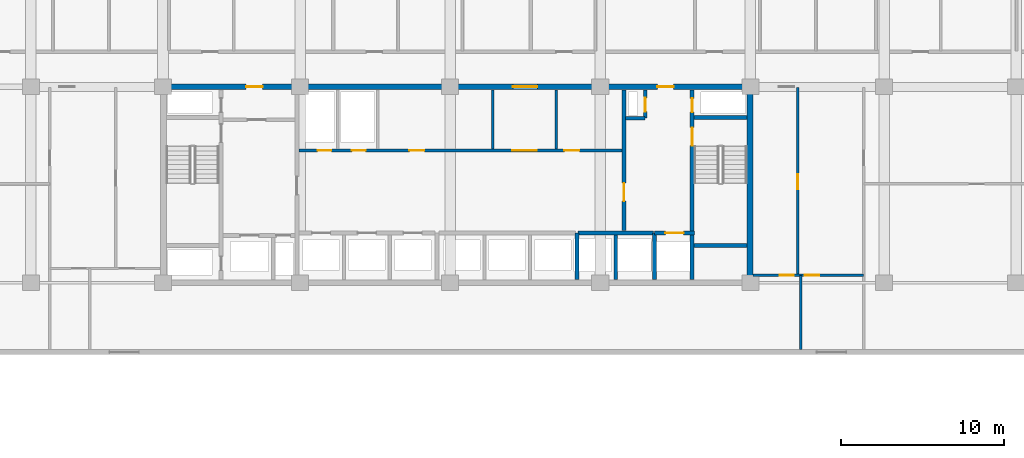
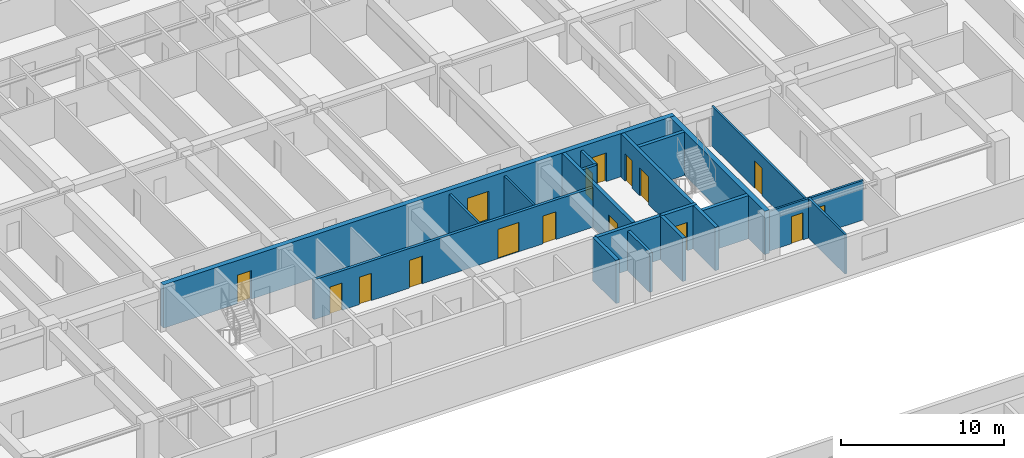
# One storey, part 12 of 23: 19 walls, 16 doors, 16 openings.
"""IFC4 building model written with IfcOpenShell, lengths in metres."""

from ifc_helpers import new_model, si_unit, direction, frame, frame_2d, origin, place, context, subcontext, project, spatial, rectangle, extrude, material, layer, layer_set, type_object, element, fill, save


model = new_model("IFC4")

# Units and contexts
model_context = context("Model", 3, precision=1e-05, world=origin(), true_north=direction((0.0, 1.0)))
body_context = subcontext(model_context, "Body", "Model", "MODEL_VIEW")
ifc_project = project(units=[si_unit("LENGTHUNIT", "METRE"), si_unit("AREAUNIT", "SQUARE_METRE"), si_unit("VOLUMEUNIT", "CUBIC_METRE"), si_unit("PLANEANGLEUNIT", "RADIAN"), si_unit("MASSUNIT", "GRAM", prefix="KILO")], contexts=[model_context])

# Site, building, storey
site_placement = place(None, origin())
site = spatial("IfcSite", under=ifc_project, at=site_placement, CompositionType="ELEMENT")
building_placement = place(site_placement, origin())
building = spatial("IfcBuilding", under=site, at=building_placement, Name="Korimba Cascade Residences", CompositionType="ELEMENT")
storey_placement = place(building_placement, frame((0.0, 0.0, 27.25)))
storey = spatial("IfcBuildingStorey", under=building, at=storey_placement, Name="L06", CompositionType="ELEMENT", Elevation=27.25)

# Wall
ifc_material_1 = material(Name="Concrete C65/80", Category="concrete")
ifc_layer_1 = layer(ifc_material_1, 0.35009765625)
ifc_layer_set_1 = layer_set([ifc_layer_1], Name="Concrete C65/80")
wall_type_1 = type_object("IfcWallType", Name="WAL-CORE-350", PredefinedType="SHEAR", material=ifc_layer_set_1)
wall_1_placement = place(storey_placement, frame((112.074951171875, 55.375, 0.0), z_axis=(0.0, 0.0, 1.0), x_axis=(0.0, 1.0, 0.0)))
element("IfcWall", 1, at=wall_1_placement, inside=storey, type_object=wall_type_1, Name="L06 Core Shear Wall CW-L06-T1-E", PredefinedType="SHEAR", context=body_context, shape_type="SweptSolid", body=[
    extrude(rectangle(XDim=11.64990234375, YDim=0.35009765625, at=frame_2d((5.824951171875, 0.0))), origin(), (0.0, 0.0, 1.0), 3.25),
])

# Wall, openings, doors
wall_2_placement = place(storey_placement, frame((75.949951171875, 67.199951171875, 0.0), z_axis=(0.0, 0.0, 1.0), x_axis=(1.0, 0.0, 0.0)))
wall_2 = element("IfcWall", 2, at=wall_2_placement, inside=storey, type_object=wall_type_1, Name="L06 Core Shear Wall CW-L06-T1-N", PredefinedType="SHEAR", context=body_context, shape_type="SweptSolid", body=[
    extrude(rectangle(XDim=36.300048828125, YDim=0.35009765625, at=frame_2d((18.14990234375, 0.0))), origin(), (0.0, 0.0, 1.0), 3.25),
])
opening_1_placement = place(wall_2_placement, frame((5.25, 0.0, 0.0)))
opening_1 = element("IfcOpeningElement", 3, at=opening_1_placement, cuts=wall_2, Name="Opening D-FD5", PredefinedType="OPENING", context=body_context, shape_type="SweptSolid", body=[
    extrude(rectangle(XDim=1.0, YDim=2.14990234375, at=frame_2d((0.5, 1.074951171875))), frame((0.0, 0.18505859375, 0.0), z_axis=(0.0, -1.0, 0.0), x_axis=(1.0, 0.0, 0.0)), (0.0, 0.0, 1.0), 0.3701171875),
])
opening_2_placement = place(wall_2_placement, frame((21.60009765625, 0.0, 0.0)))
opening_2 = element("IfcOpeningElement", 4, at=opening_2_placement, cuts=wall_2, Name="Opening D-FD8", PredefinedType="OPENING", context=body_context, shape_type="SweptSolid", body=[
    extrude(rectangle(XDim=1.5, YDim=2.199951171875, at=frame_2d((0.75, 1.10009765625))), frame((0.0, 0.18505859375, 0.0), z_axis=(0.0, -1.0, 0.0), x_axis=(1.0, 0.0, 0.0)), (0.0, 0.0, 1.0), 0.3701171875),
])
opening_3_placement = place(wall_2_placement, frame((30.449951171875, 0.0, 0.0)))
opening_3 = element("IfcOpeningElement", 5, at=opening_3_placement, cuts=wall_2, Name="Opening D-FD5", PredefinedType="OPENING", context=body_context, shape_type="SweptSolid", body=[
    extrude(rectangle(XDim=1.0, YDim=2.14990234375, at=frame_2d((0.5, 1.074951171875))), frame((0.0, 0.18505859375, 0.0), z_axis=(0.0, -1.0, 0.0), x_axis=(1.0, 0.0, 0.0)), (0.0, 0.0, 1.0), 0.3701171875),
])
ifc_material_2 = material(Name="Fire-Rated Acoustic Timber Vestibule Door", Category="wood")
door_type_1 = type_object("IfcDoorType", Name="DR-FD90-1000", OperationType="NOTDEFINED", PredefinedType="DOOR", material=ifc_material_2)
door_1_placement = place(opening_1_placement, origin())
door_1 = element("IfcDoor", 6, at=door_1_placement, inside=storey, type_object=door_type_1, Name="L06 T1 West Core Vestibule Fire Door", OperationType="SINGLE_SWING_RIGHT", OverallHeight=2.14990234375, OverallWidth=1.0, PredefinedType="DOOR", context=body_context, shape_type="SweptSolid", body=[
    extrude(rectangle(XDim=1.0, YDim=2.14990234375, at=frame_2d((0.5, 1.074951171875))), frame((0.0, 0.02490234375, 0.0), z_axis=(0.0, -1.0, 0.0), x_axis=(1.0, 0.0, 0.0)), (0.0, 0.0, 1.0), 0.050048828125),
])
fill(opening_1, door_1)
door_2_placement = place(opening_3_placement, origin())
door_2 = element("IfcDoor", 7, at=door_2_placement, inside=storey, type_object=door_type_1, Name="L06 T1 East Firefighting Vestibule Fire Door", OperationType="SINGLE_SWING_LEFT", OverallHeight=2.14990234375, OverallWidth=1.0, PredefinedType="DOOR", context=body_context, shape_type="SweptSolid", body=[
    extrude(rectangle(XDim=1.0, YDim=2.14990234375, at=frame_2d((0.5, 1.074951171875))), frame((0.0, 0.02490234375, 0.0), z_axis=(0.0, -1.0, 0.0), x_axis=(1.0, 0.0, 0.0)), (0.0, 0.0, 1.0), 0.050048828125),
])
fill(opening_3, door_2)
ifc_material_3 = material(Name="Fire-Rated Glazed Lift Lobby Double Door", Category="glass")
door_type_2 = type_object("IfcDoorType", Name="DR-FD90-1500", OperationType="NOTDEFINED", PredefinedType="DOOR", material=ifc_material_3)
door_3_placement = place(opening_2_placement, origin())
door_3 = element("IfcDoor", 8, at=door_3_placement, inside=storey, type_object=door_type_2, Name="L06 T1 Lift Lobby Fire Door", OperationType="DOUBLE_DOOR_SINGLE_SWING", OverallHeight=2.199951171875, OverallWidth=1.5, PredefinedType="DOOR", context=body_context, shape_type="SweptSolid", body=[
    extrude(rectangle(XDim=1.5, YDim=2.199951171875, at=frame_2d((0.75, 1.10009765625))), frame((0.0, 0.02490234375, 0.0), z_axis=(0.0, -1.0, 0.0), x_axis=(1.0, 0.0, 0.0)), (0.0, 0.0, 1.0), 0.050048828125),
])
fill(opening_2, door_3)

# Walls
ifc_material_4 = material(Name="Insulated Acoustic Stud Partition", Category="gypsum")
ifc_layer_2 = layer(ifc_material_4, 0.14990234375)
ifc_layer_set_2 = layer_set([ifc_layer_2], Name="Insulated Acoustic Stud Partition")
wall_type_2 = type_object("IfcWallType", Name="WAL-PART-150", PredefinedType="PARTITIONING", material=ifc_layer_set_2)
for number, where, z_axis, x_axis, name in (
    (9, (96.300048828125, 63.39990234375, 0.0), (0.0, 0.0, 1.0), (0.0, 1.0, 0.0), "L06 Partition Wall CW-L06-T1-THW"),
    (10, (100.199951171875, 63.39990234375, 0.0), (0.0, 0.0, 1.0), (0.0, 1.0, 0.0), "L06 Partition Wall CW-L06-T1-THE"),
):
    element("IfcWall", number, at=place(storey_placement, frame(where, z_axis=z_axis, x_axis=x_axis)), inside=storey, type_object=wall_type_2, Name=name, PredefinedType="PARTITIONING", context=body_context, shape_type="SweptSolid", body=[
        extrude(rectangle(XDim=3.60009765625, YDim=0.14990234375, at=frame_2d((1.800048828125, 0.0))), origin(), (0.0, 0.0, 1.0), 2.969970703125),
    ])

# Wall, opening, door
wall_3_placement = place(storey_placement, frame((115.0, 55.64990234375, 0.0), z_axis=(0.0, 0.0, 1.0), x_axis=(0.0, 1.0, 0.0)))
wall_3 = element("IfcWall", 11, at=wall_3_placement, inside=storey, type_object=wall_type_2, Name="L06 Partition Wall WAL-L06-T1-FE-VN", PredefinedType="PARTITIONING", context=body_context, shape_type="SweptSolid", body=[
    extrude(rectangle(XDim=11.5, YDim=0.14990234375, at=frame_2d((5.75, 0.0))), origin(), (0.0, 0.0, 1.0), 2.969970703125),
])
opening_4_placement = place(wall_3_placement, frame((5.2900390625, 0.0, 0.0)))
opening_4 = element("IfcOpeningElement", 12, at=opening_4_placement, cuts=wall_3, Name="Opening D-IN1", PredefinedType="OPENING", context=body_context, shape_type="SweptSolid", body=[
    extrude(rectangle(XDim=0.919921875, YDim=2.080078125, at=frame_2d((0.4599609375, 1.0400390625))), frame((0.0, 0.0849609375, 0.0), z_axis=(0.0, -1.0, 0.0), x_axis=(1.0, 0.0, 0.0)), (0.0, 0.0, 1.0), 0.169921875),
])
ifc_material_5 = material(Name="Acoustic Timber Living Door", Category="wood")
door_type_3 = type_object("IfcDoorType", Name="DR-INT-920", OperationType="NOTDEFINED", PredefinedType="DOOR", material=ifc_material_5)
door_4_placement = place(opening_4_placement, origin())
door_4 = element("IfcDoor", 13, at=door_4_placement, inside=storey, type_object=door_type_3, Name="L06-T1-FE Living Door", OperationType="SINGLE_SWING_RIGHT", OverallHeight=2.080078125, OverallWidth=0.919921875, PredefinedType="DOOR", context=body_context, shape_type="SweptSolid", body=[
    extrude(rectangle(XDim=0.919921875, YDim=2.080078125, at=frame_2d((0.4599609375, 1.0400390625))), frame((0.0, 0.02490234375, 0.0), z_axis=(0.0, -1.0, 0.0), x_axis=(1.0, 0.0, 0.0)), (0.0, 0.0, 1.0), 0.050048828125),
])
fill(opening_4, door_4)

# Wall
wall_4_placement = place(storey_placement, frame((115.199951171875, 51.10009765625, 0.0), z_axis=(0.0, 0.0, 1.0), x_axis=(0.0, 1.0, 0.0)))
element("IfcWall", 14, at=wall_4_placement, inside=storey, type_object=wall_type_2, Name="L06 Partition Wall WAL-L06-T1-FE-VS", PredefinedType="PARTITIONING", context=body_context, shape_type="SweptSolid", body=[
    extrude(rectangle(XDim=4.5498046875, YDim=0.14990234375, at=frame_2d((2.27490234375, 0.0))), origin(), (0.0, 0.0, 1.0), 2.969970703125),
])

# Wall, openings, doors
wall_5_placement = place(storey_placement, frame((112.27001953125, 55.64990234375, 0.0), z_axis=(0.0, 0.0, 1.0), x_axis=(1.0, 0.0, 0.0)))
wall_5 = element("IfcWall", 15, at=wall_5_placement, inside=storey, type_object=wall_type_2, Name="L06 Partition Wall WAL-L06-T1-FE-H", PredefinedType="PARTITIONING", context=body_context, shape_type="SweptSolid", body=[
    extrude(rectangle(XDim=6.760009765625, YDim=0.14990234375, at=frame_2d((3.3798828125, 0.0))), origin(), (0.0, 0.0, 1.0), 2.969970703125),
])
opening_5_placement = place(wall_5_placement, frame((1.6396484375, 0.0, 0.0)))
opening_5 = element("IfcOpeningElement", 16, at=opening_5_placement, cuts=wall_5, Name="Opening D-BT1", PredefinedType="OPENING", context=body_context, shape_type="SweptSolid", body=[
    extrude(rectangle(XDim=0.840087890625, YDim=2.0400390625, at=frame_2d((0.419921875, 1.02001953125))), frame((0.0, 0.0849609375, 0.0), z_axis=(0.0, -1.0, 0.0), x_axis=(1.0, 0.0, 0.0)), (0.0, 0.0, 1.0), 0.169921875),
])
opening_6_placement = place(wall_5_placement, frame((3.160400390625, 0.0, 0.0)))
opening_6 = element("IfcOpeningElement", 17, at=opening_6_placement, cuts=wall_5, Name="Opening D-IN2", PredefinedType="OPENING", context=body_context, shape_type="SweptSolid", body=[
    extrude(rectangle(XDim=0.8798828125, YDim=2.06005859375, at=frame_2d((0.43994140625, 1.030029296875))), frame((0.0, 0.0849609375, 0.0), z_axis=(0.0, -1.0, 0.0), x_axis=(1.0, 0.0, 0.0)), (0.0, 0.0, 1.0), 0.169921875),
])
ifc_material_6 = material(Name="Moisture-Resistant Bathroom Timber Door", Category="wood")
door_type_4 = type_object("IfcDoorType", Name="DR-INT-850", OperationType="NOTDEFINED", PredefinedType="DOOR", material=ifc_material_6)
door_5_placement = place(opening_5_placement, origin())
door_5 = element("IfcDoor", 18, at=door_5_placement, inside=storey, type_object=door_type_4, Name="L06-T1-FE Bathroom Door", OperationType="SINGLE_SWING_LEFT", OverallHeight=2.0400390625, OverallWidth=0.840087890625, PredefinedType="DOOR", context=body_context, shape_type="SweptSolid", body=[
    extrude(rectangle(XDim=0.840087890625, YDim=2.0400390625, at=frame_2d((0.419921875, 1.02001953125))), frame((0.0, 0.02490234375, 0.0), z_axis=(0.0, -1.0, 0.0), x_axis=(1.0, 0.0, 0.0)), (0.0, 0.0, 1.0), 0.050048828125),
])
fill(opening_5, door_5)
ifc_material_7 = material(Name="Acoustic Timber Bedroom Door", Category="wood")
door_type_5 = type_object("IfcDoorType", Name="DR-INT-880", OperationType="NOTDEFINED", PredefinedType="DOOR", material=ifc_material_7)
door_6_placement = place(opening_6_placement, origin())
door_6 = element("IfcDoor", 19, at=door_6_placement, inside=storey, type_object=door_type_5, Name="L06-T1-FE Bedroom Door", OperationType="SINGLE_SWING_RIGHT", OverallHeight=2.06005859375, OverallWidth=0.8798828125, PredefinedType="DOOR", context=body_context, shape_type="SweptSolid", body=[
    extrude(rectangle(XDim=0.8798828125, YDim=2.06005859375, at=frame_2d((0.43994140625, 1.030029296875))), frame((0.0, 0.02490234375, 0.0), z_axis=(0.0, -1.0, 0.0), x_axis=(1.0, 0.0, 0.0)), (0.0, 0.0, 1.0), 0.050048828125),
])
fill(opening_6, door_6)

# Wall
ifc_material_8 = material(Name="Concrete C40/50", Category="concrete")
ifc_layer_3 = layer(ifc_material_8, 0.199951171875)
ifc_layer_set_3 = layer_set([ifc_layer_3], Name="Concrete C40/50")
wall_type_3 = type_object("IfcWallType", Name="WAL-PART-200", PredefinedType="PARTITIONING", material=ifc_layer_set_3)
wall_6_placement = place(storey_placement, frame((103.85009765625, 55.39990234375, 0.0), z_axis=(0.0, 0.0, 1.0), x_axis=(0.0, 1.0, 0.0)))
element("IfcWall", 20, at=wall_6_placement, inside=storey, type_object=wall_type_3, Name="L06 Partition Wall CW-L06-T1-B3D1", PredefinedType="PARTITIONING", context=body_context, shape_type="SweptSolid", body=[
    extrude(rectangle(XDim=2.72021484375, YDim=0.199951171875, at=frame_2d((1.360107421875, 0.0))), origin(), (0.0, 0.0, 1.0), 2.969970703125),
])

# Wall, openings, doors
wall_7_placement = place(storey_placement, frame((84.419921875, 63.300048828125, 0.0), z_axis=(0.0, 0.0, 1.0), x_axis=(1.0, 0.0, 0.0)))
wall_7 = element("IfcWall", 21, at=wall_7_placement, inside=storey, type_object=wall_type_3, Name="L06 Partition Wall CW-L06-T1-SRVROW", PredefinedType="PARTITIONING", context=body_context, shape_type="SweptSolid", body=[
    extrude(rectangle(XDim=19.830078125, YDim=0.199951171875, at=frame_2d((9.9150390625, 0.0))), origin(), (0.0, 0.0, 1.0), 2.969970703125),
])
opening_7_placement = place(wall_7_placement, frame((1.14990234375, 0.0, 0.0)))
opening_7 = element("IfcOpeningElement", 22, at=opening_7_placement, cuts=wall_7, Name="Opening D-RS1", PredefinedType="OPENING", context=body_context, shape_type="SweptSolid", body=[
    extrude(rectangle(XDim=0.85009765625, YDim=2.050048828125, at=frame_2d((0.425048828125, 1.02490234375))), frame((0.0, 0.10986328125, 0.0), z_axis=(0.0, -1.0, 0.0), x_axis=(1.0, 0.0, 0.0)), (0.0, 0.0, 1.0), 0.219970703125),
])
opening_8_placement = place(wall_7_placement, frame((3.25, 0.0, 0.0)))
opening_8 = element("IfcOpeningElement", 23, at=opening_8_placement, cuts=wall_7, Name="Opening D-RS1", PredefinedType="OPENING", context=body_context, shape_type="SweptSolid", body=[
    extrude(rectangle(XDim=0.85009765625, YDim=2.050048828125, at=frame_2d((0.425048828125, 1.02490234375))), frame((0.0, 0.10986328125, 0.0), z_axis=(0.0, -1.0, 0.0), x_axis=(1.0, 0.0, 0.0)), (0.0, 0.0, 1.0), 0.219970703125),
])
opening_9_placement = place(wall_7_placement, frame((13.080078125, 0.0, 0.0)))
opening_9 = element("IfcOpeningElement", 24, at=opening_9_placement, cuts=wall_7, Name="Opening D-FD8", PredefinedType="OPENING", context=body_context, shape_type="SweptSolid", body=[
    extrude(rectangle(XDim=1.5, YDim=2.199951171875, at=frame_2d((0.75, 1.10009765625))), frame((0.0, 0.10986328125, 0.0), z_axis=(0.0, -1.0, 0.0), x_axis=(1.0, 0.0, 0.0)), (0.0, 0.0, 1.0), 0.219970703125),
])
opening_10_placement = place(wall_7_placement, frame((6.780029296875, 0.0, 0.0)))
opening_10 = element("IfcOpeningElement", 25, at=opening_10_placement, cuts=wall_7, Name="Opening D-IN1", PredefinedType="OPENING", context=body_context, shape_type="SweptSolid", body=[
    extrude(rectangle(XDim=0.919921875, YDim=2.080078125, at=frame_2d((0.4599609375, 1.0400390625))), frame((0.0, 0.10986328125, 0.0), z_axis=(0.0, -1.0, 0.0), x_axis=(1.0, 0.0, 0.0)), (0.0, 0.0, 1.0), 0.219970703125),
])
opening_11_placement = place(wall_7_placement, frame((16.280029296875, 0.0, 0.0)))
opening_11 = element("IfcOpeningElement", 26, at=opening_11_placement, cuts=wall_7, Name="Opening D-IN1", PredefinedType="OPENING", context=body_context, shape_type="SweptSolid", body=[
    extrude(rectangle(XDim=0.919921875, YDim=2.080078125, at=frame_2d((0.4599609375, 1.0400390625))), frame((0.0, 0.10986328125, 0.0), z_axis=(0.0, -1.0, 0.0), x_axis=(1.0, 0.0, 0.0)), (0.0, 0.0, 1.0), 0.219970703125),
])
ifc_material_9 = material(Name="Fire-Rated Steel Riser Access Door", Category="steel")
door_type_6 = type_object("IfcDoorType", Name="DR-FD60-850", OperationType="NOTDEFINED", PredefinedType="DOOR", material=ifc_material_9)
door_7_placement = place(opening_7_placement, origin())
door_7 = element("IfcDoor", 27, at=door_7_placement, inside=storey, type_object=door_type_6, Name="L06 Electrical Riser Door", OperationType="SINGLE_SWING_RIGHT", OverallHeight=2.050048828125, OverallWidth=0.85009765625, PredefinedType="DOOR", context=body_context, shape_type="SweptSolid", body=[
    extrude(rectangle(XDim=0.85009765625, YDim=2.050048828125, at=frame_2d((0.425048828125, 1.02490234375))), frame((0.0, 0.02490234375, 0.0), z_axis=(0.0, -1.0, 0.0), x_axis=(1.0, 0.0, 0.0)), (0.0, 0.0, 1.0), 0.050048828125),
])
fill(opening_7, door_7)
door_8_placement = place(opening_8_placement, origin())
door_8 = element("IfcDoor", 28, at=door_8_placement, inside=storey, type_object=door_type_6, Name="L06 Plumbing Riser Door", OperationType="SINGLE_SWING_LEFT", OverallHeight=2.050048828125, OverallWidth=0.85009765625, PredefinedType="DOOR", context=body_context, shape_type="SweptSolid", body=[
    extrude(rectangle(XDim=0.85009765625, YDim=2.050048828125, at=frame_2d((0.425048828125, 1.02490234375))), frame((0.0, 0.02490234375, 0.0), z_axis=(0.0, -1.0, 0.0), x_axis=(1.0, 0.0, 0.0)), (0.0, 0.0, 1.0), 0.050048828125),
])
fill(opening_8, door_8)
door_9_placement = place(opening_9_placement, origin())
door_9 = element("IfcDoor", 29, at=door_9_placement, inside=storey, type_object=door_type_2, Name="L06 Lift Lobby Foyer Archway Door", OperationType="DOUBLE_DOOR_SINGLE_SWING", OverallHeight=2.199951171875, OverallWidth=1.5, PredefinedType="DOOR", context=body_context, shape_type="SweptSolid", body=[
    extrude(rectangle(XDim=1.5, YDim=2.199951171875, at=frame_2d((0.75, 1.10009765625))), frame((0.0, 0.02490234375, 0.0), z_axis=(0.0, -1.0, 0.0), x_axis=(1.0, 0.0, 0.0)), (0.0, 0.0, 1.0), 0.050048828125),
])
fill(opening_9, door_9)
door_10_placement = place(opening_10_placement, origin())
door_10 = element("IfcDoor", 30, at=door_10_placement, inside=storey, type_object=door_type_3, Name="L06 Housekeeping Door", OperationType="SINGLE_SWING_RIGHT", OverallHeight=2.080078125, OverallWidth=0.919921875, PredefinedType="DOOR", context=body_context, shape_type="SweptSolid", body=[
    extrude(rectangle(XDim=0.919921875, YDim=2.080078125, at=frame_2d((0.4599609375, 1.0400390625))), frame((0.0, 0.02490234375, 0.0), z_axis=(0.0, -1.0, 0.0), x_axis=(1.0, 0.0, 0.0)), (0.0, 0.0, 1.0), 0.050048828125),
])
fill(opening_10, door_10)
door_11_placement = place(opening_11_placement, origin())
door_11 = element("IfcDoor", 31, at=door_11_placement, inside=storey, type_object=door_type_3, Name="L06 Store Door", OperationType="SINGLE_SWING_LEFT", OverallHeight=2.080078125, OverallWidth=0.919921875, PredefinedType="DOOR", context=body_context, shape_type="SweptSolid", body=[
    extrude(rectangle(XDim=0.919921875, YDim=2.080078125, at=frame_2d((0.4599609375, 1.0400390625))), frame((0.0, 0.02490234375, 0.0), z_axis=(0.0, -1.0, 0.0), x_axis=(1.0, 0.0, 0.0)), (0.0, 0.0, 1.0), 0.050048828125),
])
fill(opening_11, door_11)

# Wall
wall_8_placement = place(storey_placement, frame((104.449951171875, 65.280029296875, 0.0), z_axis=(0.0, 0.0, 1.0), x_axis=(1.0, 0.0, 0.0)))
element("IfcWall", 32, at=wall_8_placement, inside=storey, type_object=wall_type_3, Name="L06 Partition Wall CW-L06-T1-HYDW2S", PredefinedType="PARTITIONING", context=body_context, shape_type="SweptSolid", body=[
    extrude(rectangle(XDim=1.199951171875, YDim=0.199951171875, at=frame_2d((0.60009765625, 0.0))), origin(), (0.0, 0.0, 1.0), 2.969970703125),
])

# Wall, opening, door
wall_9_placement = place(storey_placement, frame((105.64990234375, 65.280029296875, 0.0), z_axis=(0.0, 0.0, 1.0), x_axis=(0.0, 1.0, 0.0)))
wall_9 = element("IfcWall", 33, at=wall_9_placement, inside=storey, type_object=wall_type_3, Name="L06 Partition Wall CW-L06-T1-HYDW2E", PredefinedType="PARTITIONING", context=body_context, shape_type="SweptSolid", body=[
    extrude(rectangle(XDim=1.719970703125, YDim=0.199951171875, at=frame_2d((0.85986328125, 0.0))), origin(), (0.0, 0.0, 1.0), 2.969970703125),
])
opening_12_placement = place(wall_9_placement, frame((0.39990234375, 0.0, 0.0)))
opening_12 = element("IfcOpeningElement", 34, at=opening_12_placement, cuts=wall_9, Name="Opening D-RS1", PredefinedType="OPENING", context=body_context, shape_type="SweptSolid", body=[
    extrude(rectangle(XDim=0.85009765625, YDim=2.050048828125, at=frame_2d((0.425048828125, 1.02490234375))), frame((0.0, 0.10986328125, 0.0), z_axis=(0.0, -1.0, 0.0), x_axis=(1.0, 0.0, 0.0)), (0.0, 0.0, 1.0), 0.219970703125),
])
door_12_placement = place(opening_12_placement, origin())
door_12 = element("IfcDoor", 35, at=door_12_placement, inside=storey, type_object=door_type_6, Name="L06 East Hydrant Door", OperationType="SINGLE_SWING_RIGHT", OverallHeight=2.050048828125, OverallWidth=0.85009765625, PredefinedType="DOOR", context=body_context, shape_type="SweptSolid", body=[
    extrude(rectangle(XDim=0.85009765625, YDim=2.050048828125, at=frame_2d((0.425048828125, 1.02490234375))), frame((0.0, 0.02490234375, 0.0), z_axis=(0.0, -1.0, 0.0), x_axis=(1.0, 0.0, 0.0)), (0.0, 0.0, 1.0), 0.050048828125),
])
fill(opening_12, door_12)

# Walls
ifc_material_10 = material(Name="Concrete C50/60", Category="concrete")
ifc_layer_4 = layer(ifc_material_10, 0.25)
ifc_layer_set_4 = layer_set([ifc_layer_4], Name="Concrete C50/60")
wall_type_4 = type_object("IfcWallType", Name="WAL-SHAFT-250", PredefinedType="SHEAR", material=ifc_layer_set_4)
wall_10_placement = place(storey_placement, frame((101.47998046875, 55.39990234375, 0.0), z_axis=(0.0, 0.0, 1.0), x_axis=(0.0, 1.0, 0.0)))
element("IfcWall", 36, at=wall_10_placement, inside=storey, type_object=wall_type_4, Name="L06 Core Shear Wall CW-L06-T1-B23DIV", PredefinedType="SHEAR", context=body_context, shape_type="SweptSolid", body=[
    extrude(rectangle(XDim=2.85009765625, YDim=0.25, at=frame_2d((1.425048828125, 0.0))), origin(), (0.0, 0.0, 1.0), 3.25),
])
wall_11_placement = place(storey_placement, frame((101.550048828125, 58.25, 0.0), z_axis=(0.0, 0.0, 1.0), x_axis=(1.0, 0.0, 0.0)))
element("IfcWall", 37, at=wall_11_placement, inside=storey, type_object=wall_type_4, Name="L06 Core Shear Wall CW-L06-T1-B3N", PredefinedType="SHEAR", context=body_context, shape_type="SweptSolid", body=[
    extrude(rectangle(XDim=4.599853515625, YDim=0.25, at=frame_2d((2.2998046875, 0.0))), origin(), (0.0, 0.0, 1.0), 3.25),
])
wall_12_placement = place(storey_placement, frame((106.219970703125, 55.39990234375, 0.0), z_axis=(0.0, 0.0, 1.0), x_axis=(0.0, 1.0, 0.0)))
element("IfcWall", 38, at=wall_12_placement, inside=storey, type_object=wall_type_4, Name="L06 Core Shear Wall CW-L06-T1-FF2W", PredefinedType="SHEAR", context=body_context, shape_type="SweptSolid", body=[
    extrude(rectangle(XDim=2.85009765625, YDim=0.25, at=frame_2d((1.425048828125, 0.0))), origin(), (0.0, 0.0, 1.0), 3.25),
])

# Wall, opening, door
wall_13_placement = place(storey_placement, frame((106.219970703125, 58.25, 0.0), z_axis=(0.0, 0.0, 1.0), x_axis=(1.0, 0.0, 0.0)))
wall_13 = element("IfcWall", 39, at=wall_13_placement, inside=storey, type_object=wall_type_4, Name="L06 Core Shear Wall CW-L06-T1-FF2N", PredefinedType="SHEAR", context=body_context, shape_type="SweptSolid", body=[
    extrude(rectangle(XDim=2.4599609375, YDim=0.25, at=frame_2d((1.22998046875, 0.0))), origin(), (0.0, 0.0, 1.0), 3.25),
])
opening_13_placement = place(wall_13_placement, frame((0.669921875, 0.0, 0.0)))
opening_13 = element("IfcOpeningElement", 40, at=opening_13_placement, cuts=wall_13, Name="Opening LD-01", PredefinedType="OPENING", context=body_context, shape_type="SweptSolid", body=[
    extrude(rectangle(XDim=1.1201171875, YDim=2.1201171875, at=frame_2d((0.56005859375, 1.06005859375))), frame((0.0, 0.135009765625, 0.0), z_axis=(0.0, -1.0, 0.0), x_axis=(1.0, 0.0, 0.0)), (0.0, 0.0, 1.0), 0.27001953125),
])
ifc_material_11 = material(Name="Stainless Steel Lift Landing Sliding Door", Category="steel")
door_type_7 = type_object("IfcDoorType", Name="DR-LIFT-1100", OperationType="NOTDEFINED", PredefinedType="DOOR", material=ifc_material_11)
door_13_placement = place(opening_13_placement, origin())
door_13 = element("IfcDoor", 41, at=door_13_placement, inside=storey, type_object=door_type_7, Name="L06 Firefighting Lift Landing Door FFL-W2", OperationType="SLIDING_TO_RIGHT", OverallHeight=2.1201171875, OverallWidth=1.1201171875, PredefinedType="DOOR", context=body_context, shape_type="SweptSolid", body=[
    extrude(rectangle(XDim=1.1201171875, YDim=2.1201171875, at=frame_2d((0.56005859375, 1.06005859375))), frame((0.0, 0.02490234375, 0.0), z_axis=(0.0, -1.0, 0.0), x_axis=(1.0, 0.0, 0.0)), (0.0, 0.0, 1.0), 0.050048828125),
])
fill(opening_13, door_13)

wall_14_placement = place(storey_placement, frame((104.35009765625, 58.39990234375, 0.0), z_axis=(0.0, 0.0, 1.0), x_axis=(0.0, 1.0, 0.0)))
wall_14 = element("IfcWall", 42, at=wall_14_placement, inside=storey, type_object=wall_type_4, Name="L06 Core Shear Wall CW-L06-T1-LLEV", PredefinedType="SHEAR", context=body_context, shape_type="SweptSolid", body=[
    extrude(rectangle(XDim=8.60009765625, YDim=0.25, at=frame_2d((4.300048828125, 0.0))), origin(), (0.0, 0.0, 1.0), 3.25),
])
opening_14_placement = place(wall_14_placement, frame((1.800048828125, 0.0, 0.0)))
opening_14 = element("IfcOpeningElement", 43, at=opening_14_placement, cuts=wall_14, Name="Opening D-FD1", PredefinedType="OPENING", context=body_context, shape_type="SweptSolid", body=[
    extrude(rectangle(XDim=1.10009765625, YDim=2.10009765625, at=frame_2d((0.550048828125, 1.050048828125))), frame((0.0, 0.135009765625, 0.0), z_axis=(0.0, -1.0, 0.0), x_axis=(1.0, 0.0, 0.0)), (0.0, 0.0, 1.0), 0.27001953125),
])
ifc_material_12 = material(Name="Fire-Rated Steel Core Door", Category="steel")
door_type_8 = type_object("IfcDoorType", Name="DR-FD120-1100", OperationType="NOTDEFINED", PredefinedType="DOOR", material=ifc_material_12)
door_14_placement = place(opening_14_placement, origin())
door_14 = element("IfcDoor", 44, at=door_14_placement, inside=storey, type_object=door_type_8, Name="L06 Lift Lobby to East Firefighting Lobby Door", OperationType="SINGLE_SWING_LEFT", OverallHeight=2.10009765625, OverallWidth=1.10009765625, PredefinedType="DOOR", context=body_context, shape_type="SweptSolid", body=[
    extrude(rectangle(XDim=1.10009765625, YDim=2.10009765625, at=frame_2d((0.550048828125, 1.050048828125))), frame((0.0, 0.02490234375, 0.0), z_axis=(0.0, -1.0, 0.0), x_axis=(1.0, 0.0, 0.0)), (0.0, 0.0, 1.0), 0.050048828125),
])
fill(opening_14, door_14)

# Wall, openings, doors
wall_15_placement = place(storey_placement, frame((108.534912109375, 55.39990234375, 0.0), z_axis=(0.0, 0.0, 1.0), x_axis=(0.0, 1.0, 0.0)))
wall_15 = element("IfcWall", 45, at=wall_15_placement, inside=storey, type_object=wall_type_4, Name="L06 Core Shear Wall CW-L06-T1-STW2W", PredefinedType="SHEAR", context=body_context, shape_type="SweptSolid", body=[
    extrude(rectangle(XDim=11.60009765625, YDim=0.25, at=frame_2d((5.800048828125, 0.0))), origin(), (0.0, 0.0, 1.0), 3.25),
])
opening_15_placement = place(wall_15_placement, frame((8.199951171875, 0.0, 0.0)))
opening_15 = element("IfcOpeningElement", 46, at=opening_15_placement, cuts=wall_15, Name="Opening D-FD1", PredefinedType="OPENING", context=body_context, shape_type="SweptSolid", body=[
    extrude(rectangle(XDim=1.10009765625, YDim=2.10009765625, at=frame_2d((0.550048828125, 1.050048828125))), frame((0.0, 0.135009765625, 0.0), z_axis=(0.0, -1.0, 0.0), x_axis=(1.0, 0.0, 0.0)), (0.0, 0.0, 1.0), 0.27001953125),
])
opening_16_placement = place(wall_15_placement, frame((10.25, 0.0, 0.0)))
opening_16 = element("IfcOpeningElement", 47, at=opening_16_placement, cuts=wall_15, Name="Opening D-RS1", PredefinedType="OPENING", context=body_context, shape_type="SweptSolid", body=[
    extrude(rectangle(XDim=0.85009765625, YDim=2.050048828125, at=frame_2d((0.425048828125, 1.02490234375))), frame((0.0, 0.135009765625, 0.0), z_axis=(0.0, -1.0, 0.0), x_axis=(1.0, 0.0, 0.0)), (0.0, 0.0, 1.0), 0.27001953125),
])
door_15_placement = place(opening_15_placement, origin())
door_15 = element("IfcDoor", 48, at=door_15_placement, inside=storey, type_object=door_type_8, Name="L06 Fire Stair ST-W2 Door", OperationType="SINGLE_SWING_RIGHT", OverallHeight=2.10009765625, OverallWidth=1.10009765625, PredefinedType="DOOR", context=body_context, shape_type="SweptSolid", body=[
    extrude(rectangle(XDim=1.10009765625, YDim=2.10009765625, at=frame_2d((0.550048828125, 1.050048828125))), frame((0.0, 0.02490234375, 0.0), z_axis=(0.0, -1.0, 0.0), x_axis=(1.0, 0.0, 0.0)), (0.0, 0.0, 1.0), 0.050048828125),
])
fill(opening_15, door_15)
door_16_placement = place(opening_16_placement, origin())
door_16 = element("IfcDoor", 49, at=door_16_placement, inside=storey, type_object=door_type_6, Name="L06 East Riser Door", OperationType="SINGLE_SWING_LEFT", OverallHeight=2.050048828125, OverallWidth=0.85009765625, PredefinedType="DOOR", context=body_context, shape_type="SweptSolid", body=[
    extrude(rectangle(XDim=0.85009765625, YDim=2.050048828125, at=frame_2d((0.425048828125, 1.02490234375))), frame((0.0, 0.02490234375, 0.0), z_axis=(0.0, -1.0, 0.0), x_axis=(1.0, 0.0, 0.0)), (0.0, 0.0, 1.0), 0.050048828125),
])
fill(opening_16, door_16)

# Walls
for number, where, z_axis, x_axis, name in (
    (50, (108.659912109375, 57.47509765625, 0.0), (0.0, 0.0, 1.0), (1.0, 0.0, 0.0), "L06 Core Shear Wall CW-L06-T1-STW2S"),
    (51, (108.659912109375, 65.324951171875, 0.0), (0.0, 0.0, 1.0), (1.0, 0.0, 0.0), "L06 Core Shear Wall CW-L06-T1-STW2N"),
):
    element("IfcWall", number, at=place(storey_placement, frame(where, z_axis=z_axis, x_axis=x_axis)), inside=storey, type_object=wall_type_4, Name=name, PredefinedType="SHEAR", context=body_context, shape_type="SweptSolid", body=[
        extrude(rectangle(XDim=3.239990234375, YDim=0.25, at=frame_2d((1.6201171875, 0.0))), origin(), (0.0, 0.0, 1.0), 3.25),
    ])

save(model, "model.ifc")
